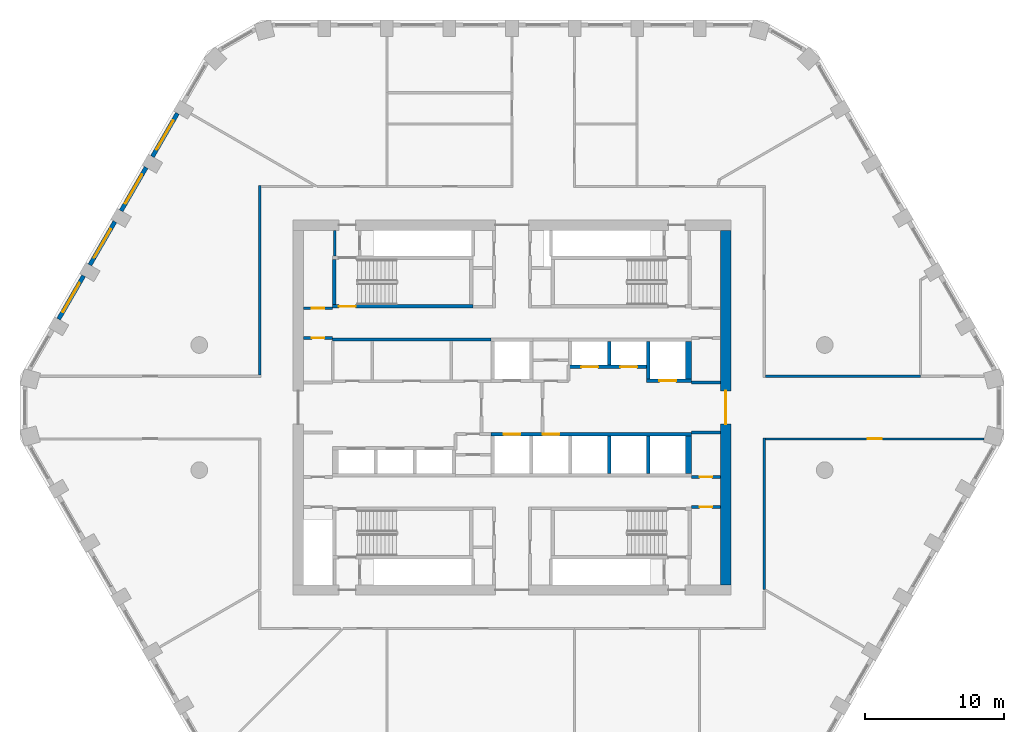
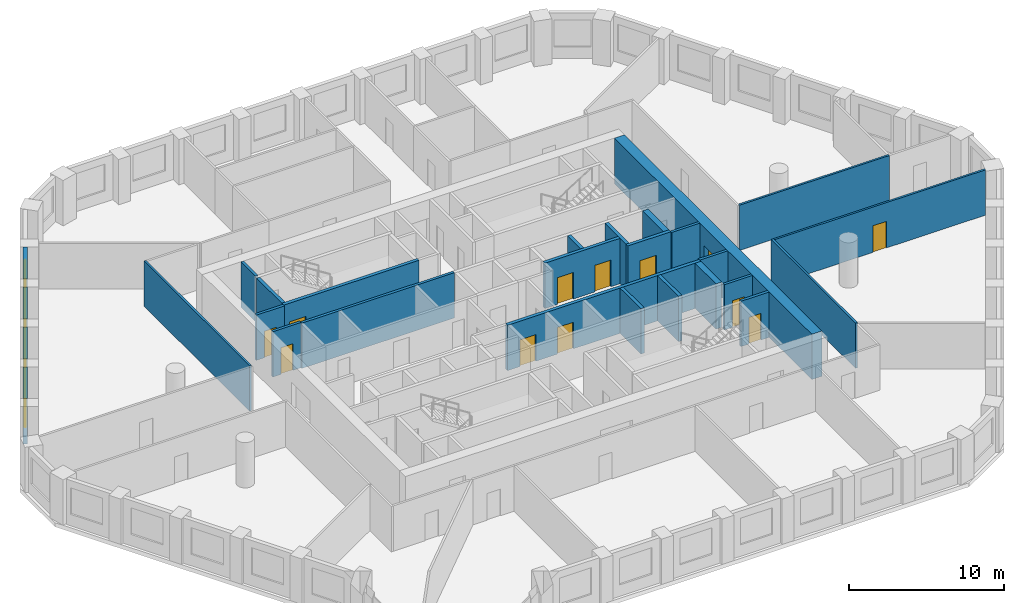
# One storey, part 5 of 9: 28 walls, 12 doors, 4 windows, 16 openings.
"""IFC4 building model written with IfcOpenShell, lengths in metres."""

from ifc_helpers import new_model, si_unit, direction, frame, frame_2d, origin, place, context, subcontext, project, spatial, polyline, rectangle, outline, extrude, material, layer, layer_set, type_object, element, fill, save


model = new_model("IFC4")

# Units and contexts
model_context = context("Model", 3, precision=1e-05, world=origin(), true_north=direction((0.0, 1.0)))
body_context = subcontext(model_context, "Body", "Model", "MODEL_VIEW")
ifc_project = project(units=[si_unit("LENGTHUNIT", "METRE"), si_unit("AREAUNIT", "SQUARE_METRE"), si_unit("VOLUMEUNIT", "CUBIC_METRE"), si_unit("PLANEANGLEUNIT", "RADIAN"), si_unit("MASSUNIT", "GRAM", prefix="KILO")], contexts=[model_context])

# Site, building, storey
site_placement = place(None, origin())
site = spatial("IfcSite", under=ifc_project, at=site_placement, CompositionType="ELEMENT")
building_placement = place(site_placement, origin())
building = spatial("IfcBuilding", under=site, at=building_placement, Name="Dhurran Vertical Campus", CompositionType="ELEMENT")
storey_placement = place(building_placement, frame((0.0, 0.0, 159.89990234375)))
storey = spatial("IfcBuildingStorey", under=building, at=storey_placement, Name="L39", CompositionType="ELEMENT", Elevation=159.89990234375)

# Wall, opening, window
ifc_material_1 = material(Name="Precast concrete C50/60", Category="concrete")
ifc_layer_1 = layer(ifc_material_1, 0.300048828125)
ifc_layer_set_1 = layer_set([ifc_layer_1], Name="Precast concrete C50/60")
wall_type_1 = type_object("IfcWallType", Name="Precast spandrel wall 300", PredefinedType="SOLIDWALL", material=ifc_layer_set_1)
wall_1_placement = place(storey_placement, frame((-24.0693359375, 21.17041015625, 0.0), z_axis=(0.0, 0.0, 1.0), x_axis=(-0.500027802648, -0.866009351323, 0.0)))
wall_1 = element("IfcWall", 1, at=wall_1_placement, inside=storey, type_object=wall_type_1, Name="EW1 L39.33", PredefinedType="SOLIDWALL", context=body_context, shape_type="SweptSolid", body=[
    extrude(rectangle(XDim=3.598876953125, YDim=0.300048828125, at=frame_2d((1.79931640625, 0.0))), origin(), (0.0, 0.0, 1.0), 3.5751953125),
])
opening_1_placement = place(wall_1_placement, frame((0.599609375, 0.0, 0.89990234375)))
opening_1 = element("IfcOpeningElement", 2, at=opening_1_placement, cuts=wall_1, Name="Opening WT1", PredefinedType="OPENING", context=body_context, shape_type="SweptSolid", body=[
    extrude(rectangle(XDim=2.39990234375, YDim=2.10009765625, at=frame_2d((1.199951171875, 1.050048828125))), frame((0.0, 0.159912109375, 0.0), z_axis=(0.0, -1.0, 0.0), x_axis=(1.0, 0.0, 0.0)), (0.0, 0.0, 1.0), 0.320068359375),
])
ifc_material_2 = material(Name="Aluminium frame with solar-control glass", Category="aluminium")
window_type = type_object("IfcWindowType", Name="Punched window 2400 x 2100", PartitioningType="SINGLE_PANEL", PredefinedType="WINDOW", material=ifc_material_2)
window_1_placement = place(opening_1_placement, origin())
window_1 = element("IfcWindow", 3, at=window_1_placement, inside=storey, type_object=window_type, Name="WT1 L39.33", OverallHeight=2.10009765625, OverallWidth=2.39990234375, PartitioningType="SINGLE_PANEL", PredefinedType="WINDOW", context=body_context, shape_type="SweptSolid", body=[
    extrude(rectangle(XDim=2.39990234375, YDim=2.10009765625, at=frame_2d((1.199951171875, 1.050048828125))), frame((0.0, 0.030029296875, 0.0), z_axis=(0.0, -1.0, 0.0), x_axis=(1.0, 0.0, 0.0)), (0.0, 0.0, 1.0), 0.06005859375),
])
fill(opening_1, window_1)

wall_2_placement = place(storey_placement, frame((-26.3193359375, 17.273193359375, 0.0), z_axis=(0.0, 0.0, 1.0), x_axis=(-0.500027802648, -0.866009351323, 0.0)))
wall_2 = element("IfcWall", 4, at=wall_2_placement, inside=storey, type_object=wall_type_1, Name="EW1 L39.34", PredefinedType="SOLIDWALL", context=body_context, shape_type="SweptSolid", body=[
    extrude(rectangle(XDim=3.598876953125, YDim=0.300048828125, at=frame_2d((1.79931640625, 0.0))), origin(), (0.0, 0.0, 1.0), 3.5751953125),
])
opening_2_placement = place(wall_2_placement, frame((0.599609375, 0.0, 0.89990234375)))
opening_2 = element("IfcOpeningElement", 5, at=opening_2_placement, cuts=wall_2, Name="Opening WT1", PredefinedType="OPENING", context=body_context, shape_type="SweptSolid", body=[
    extrude(rectangle(XDim=2.39990234375, YDim=2.10009765625, at=frame_2d((1.199951171875, 1.050048828125))), frame((0.0, 0.159912109375, 0.0), z_axis=(0.0, -1.0, 0.0), x_axis=(1.0, 0.0, 0.0)), (0.0, 0.0, 1.0), 0.320068359375),
])
window_2_placement = place(opening_2_placement, origin())
window_2 = element("IfcWindow", 6, at=window_2_placement, inside=storey, type_object=window_type, Name="WT1 L39.34", OverallHeight=2.10009765625, OverallWidth=2.39990234375, PartitioningType="SINGLE_PANEL", PredefinedType="WINDOW", context=body_context, shape_type="SweptSolid", body=[
    extrude(rectangle(XDim=2.39990234375, YDim=2.10009765625, at=frame_2d((1.199951171875, 1.050048828125))), frame((0.0, 0.030029296875, 0.0), z_axis=(0.0, -1.0, 0.0), x_axis=(1.0, 0.0, 0.0)), (0.0, 0.0, 1.0), 0.06005859375),
])
fill(opening_2, window_2)

wall_3_placement = place(storey_placement, frame((-28.5693359375, 13.376220703125, 0.0), z_axis=(0.0, 0.0, 1.0), x_axis=(-0.500027802648, -0.866009351323, 0.0)))
wall_3 = element("IfcWall", 7, at=wall_3_placement, inside=storey, type_object=wall_type_1, Name="EW1 L39.35", PredefinedType="SOLIDWALL", context=body_context, shape_type="SweptSolid", body=[
    extrude(rectangle(XDim=3.598876953125, YDim=0.300048828125, at=frame_2d((1.79931640625, 0.0))), origin(), (0.0, 0.0, 1.0), 3.5751953125),
])
opening_3_placement = place(wall_3_placement, frame((0.599609375, 0.0, 0.89990234375)))
opening_3 = element("IfcOpeningElement", 8, at=opening_3_placement, cuts=wall_3, Name="Opening WT1", PredefinedType="OPENING", context=body_context, shape_type="SweptSolid", body=[
    extrude(rectangle(XDim=2.39990234375, YDim=2.10009765625, at=frame_2d((1.199951171875, 1.050048828125))), frame((0.0, 0.159912109375, 0.0), z_axis=(0.0, -1.0, 0.0), x_axis=(1.0, 0.0, 0.0)), (0.0, 0.0, 1.0), 0.320068359375),
])
window_3_placement = place(opening_3_placement, origin())
window_3 = element("IfcWindow", 9, at=window_3_placement, inside=storey, type_object=window_type, Name="WT1 L39.35", OverallHeight=2.10009765625, OverallWidth=2.39990234375, PartitioningType="SINGLE_PANEL", PredefinedType="WINDOW", context=body_context, shape_type="SweptSolid", body=[
    extrude(rectangle(XDim=2.39990234375, YDim=2.10009765625, at=frame_2d((1.199951171875, 1.050048828125))), frame((0.0, 0.030029296875, 0.0), z_axis=(0.0, -1.0, 0.0), x_axis=(1.0, 0.0, 0.0)), (0.0, 0.0, 1.0), 0.06005859375),
])
fill(opening_3, window_3)

wall_4_placement = place(storey_placement, frame((-30.8193359375, 9.47900390625, 0.0), z_axis=(0.0, 0.0, 1.0), x_axis=(-0.500027802648, -0.866009351323, 0.0)))
wall_4 = element("IfcWall", 10, at=wall_4_placement, inside=storey, type_object=wall_type_1, Name="EW1 L39.36", PredefinedType="SOLIDWALL", context=body_context, shape_type="SweptSolid", body=[
    extrude(rectangle(XDim=3.598876953125, YDim=0.300048828125, at=frame_2d((1.79931640625, 0.0))), origin(), (0.0, 0.0, 1.0), 3.5751953125),
])
opening_4_placement = place(wall_4_placement, frame((0.599609375, 0.0, 0.89990234375)))
opening_4 = element("IfcOpeningElement", 11, at=opening_4_placement, cuts=wall_4, Name="Opening WT1", PredefinedType="OPENING", context=body_context, shape_type="SweptSolid", body=[
    extrude(rectangle(XDim=2.39990234375, YDim=2.10009765625, at=frame_2d((1.199951171875, 1.050048828125))), frame((0.0, 0.159912109375, 0.0), z_axis=(0.0, -1.0, 0.0), x_axis=(1.0, 0.0, 0.0)), (0.0, 0.0, 1.0), 0.320068359375),
])
window_4_placement = place(opening_4_placement, origin())
window_4 = element("IfcWindow", 12, at=window_4_placement, inside=storey, type_object=window_type, Name="WT1 L39.36", OverallHeight=2.10009765625, OverallWidth=2.39990234375, PartitioningType="SINGLE_PANEL", PredefinedType="WINDOW", context=body_context, shape_type="SweptSolid", body=[
    extrude(rectangle(XDim=2.39990234375, YDim=2.10009765625, at=frame_2d((1.199951171875, 1.050048828125))), frame((0.0, 0.030029296875, 0.0), z_axis=(0.0, -1.0, 0.0), x_axis=(1.0, 0.0, 0.0)), (0.0, 0.0, 1.0), 0.06005859375),
])
fill(opening_4, window_4)

# Wall, opening, door
ifc_material_3 = material(Name="Concrete C60/75", Category="concrete")
ifc_layer_2 = layer(ifc_material_3, 0.75)
ifc_layer_set_2 = layer_set([ifc_layer_2], Name="Concrete C60/75")
wall_type_2 = type_object("IfcWallType", Name="co-CORE-WALL-C1-750", PredefinedType="SHEAR", material=ifc_layer_set_2)
wall_5_placement = place(storey_placement, frame((15.375, -12.75, 0.0), z_axis=(0.0, 0.0, 1.0), x_axis=(0.0, 1.0, 0.0)))
wall_5 = element("IfcWall", 13, at=wall_5_placement, inside=storey, type_object=wall_type_2, Name="Core wall E L39", PredefinedType="SHEAR", context=body_context, shape_type="SweptSolid", body=[
    extrude(rectangle(XDim=25.5, YDim=0.75, at=frame_2d((12.75, 0.0))), origin(), (0.0, 0.0, 1.0), 3.5751953125),
])
opening_5_placement = place(wall_5_placement, frame((11.550048828125, 0.0, 0.0)))
opening_5 = element("IfcOpeningElement", 14, at=opening_5_placement, cuts=wall_5, Name="Opening CL2", PredefinedType="OPENING", context=body_context, shape_type="SweptSolid", body=[
    extrude(rectangle(XDim=2.39990234375, YDim=2.10009765625, at=frame_2d((1.199951171875, 1.050048828125))), frame((0.0, 0.385009765625, 0.0), z_axis=(0.0, -1.0, 0.0), x_axis=(1.0, 0.0, 0.0)), (0.0, 0.0, 1.0), 0.77001953125),
])
ifc_material_4 = material(Name="Fire-rated glazed door set")
door_type_1 = type_object("IfcDoorType", Name="co-D-LOBBY 2400x2100", OperationType="DOUBLE_DOOR_DOUBLE_SWING", PredefinedType="DOOR", material=ifc_material_4)
door_1_placement = place(opening_5_placement, origin())
door_1 = element("IfcDoor", 15, at=door_1_placement, inside=storey, type_object=door_type_1, Name="Lift lobby door E L39", OperationType="DOUBLE_DOOR_DOUBLE_SWING", OverallHeight=2.10009765625, OverallWidth=2.39990234375, PredefinedType="DOOR", context=body_context, shape_type="SweptSolid", body=[
    extrude(rectangle(XDim=2.39990234375, YDim=2.10009765625, at=frame_2d((1.199951171875, 1.050048828125))), frame((0.0, 0.02490234375, 0.0), z_axis=(0.0, -1.0, 0.0), x_axis=(1.0, 0.0, 0.0)), (0.0, 0.0, 1.0), 0.050048828125),
])
fill(opening_5, door_1)

# Wall
ifc_material_5 = material(Name="Fire-rated masonry blockwork", Category="masonry")
ifc_layer_3 = layer(ifc_material_5, 0.199951171875)
ifc_layer_set_3 = layer_set([ifc_layer_3], Name="Fire-rated masonry blockwork")
wall_type_3 = type_object("IfcWallType", Name="co-FIRE-PARTITION-200", PredefinedType="PARTITIONING", material=ifc_layer_set_3)
wall_6_placement = place(storey_placement, frame((-12.75, 10.89990234375, 0.0), z_axis=(0.0, 0.0, 1.0), x_axis=(0.0, 1.0, 0.0)))
element("IfcWall", 16, at=wall_6_placement, inside=storey, type_object=wall_type_3, Name="Core partition pass-ST1-o L39", PredefinedType="PARTITIONING", context=body_context, shape_type="SweptSolid", body=[
    extrude(rectangle(XDim=1.85009765625, YDim=0.199951171875, at=frame_2d((0.925048828125, 0.0))), origin(), (0.0, 0.0, 1.0), 3.5751953125),
])

# Wall, opening, door
wall_7_placement = place(storey_placement, frame((-15.0, 7.14990234375, 0.0), z_axis=(0.0, 0.0, 1.0), x_axis=(1.0, 0.0, 0.0)))
wall_7 = element("IfcWall", 17, at=wall_7_placement, inside=storey, type_object=wall_type_3, Name="Core partition en-NW-w L39", PredefinedType="PARTITIONING", context=body_context, shape_type="SweptSolid", body=[
    extrude(rectangle(XDim=2.10009765625, YDim=0.199951171875, at=frame_2d((1.050048828125, 0.0))), origin(), (0.0, 0.0, 1.0), 3.5751953125),
])
opening_6_placement = place(wall_7_placement, frame((0.60009765625, 0.0, 0.0)))
opening_6 = element("IfcOpeningElement", 18, at=opening_6_placement, cuts=wall_7, Name="Opening T11-C12", PredefinedType="OPENING", context=body_context, shape_type="SweptSolid", body=[
    extrude(rectangle(XDim=0.89990234375, YDim=2.10009765625, at=frame_2d((0.449951171875, 1.050048828125))), frame((0.0, 0.10986328125, 0.0), z_axis=(0.0, -1.0, 0.0), x_axis=(1.0, 0.0, 0.0)), (0.0, 0.0, 1.0), 0.219970703125),
])
ifc_material_6 = material(Name="Fire-rated timber door set", Category="wood")
door_type_2 = type_object("IfcDoorType", Name="co-D-ROOM 900x2100", OperationType="SINGLE_SWING_LEFT", PredefinedType="DOOR", material=ifc_material_6)
door_2_placement = place(opening_6_placement, origin())
door_2 = element("IfcDoor", 19, at=door_2_placement, inside=storey, type_object=door_type_2, Name="Communications room door L39", OperationType="SINGLE_SWING_LEFT", OverallHeight=2.10009765625, OverallWidth=0.89990234375, PredefinedType="DOOR", context=body_context, shape_type="SweptSolid", body=[
    extrude(rectangle(XDim=0.89990234375, YDim=2.10009765625, at=frame_2d((0.449951171875, 1.050048828125))), frame((0.0, 0.02490234375, 0.0), z_axis=(0.0, -1.0, 0.0), x_axis=(1.0, 0.0, 0.0)), (0.0, 0.0, 1.0), 0.050048828125),
])
fill(opening_6, door_2)

wall_8_placement = place(storey_placement, frame((-15.0, 5.0, 0.0), z_axis=(0.0, 0.0, 1.0), x_axis=(1.0, 0.0, 0.0)))
wall_8 = element("IfcWall", 20, at=wall_8_placement, inside=storey, type_object=wall_type_3, Name="Core partition es-NW-w L39", PredefinedType="PARTITIONING", context=body_context, shape_type="SweptSolid", body=[
    extrude(rectangle(XDim=2.10009765625, YDim=0.199951171875, at=frame_2d((1.050048828125, 0.0))), origin(), (0.0, 0.0, 1.0), 3.5751953125),
])
opening_7_placement = place(wall_8_placement, frame((0.60009765625, 0.0, 0.0)))
opening_7 = element("IfcOpeningElement", 21, at=opening_7_placement, cuts=wall_8, Name="Opening T11-C13", PredefinedType="OPENING", context=body_context, shape_type="SweptSolid", body=[
    extrude(rectangle(XDim=0.89990234375, YDim=2.10009765625, at=frame_2d((0.449951171875, 1.050048828125))), frame((0.0, 0.10986328125, 0.0), z_axis=(0.0, -1.0, 0.0), x_axis=(1.0, 0.0, 0.0)), (0.0, 0.0, 1.0), 0.219970703125),
])
door_3_placement = place(opening_7_placement, origin())
door_3 = element("IfcDoor", 22, at=door_3_placement, inside=storey, type_object=door_type_2, Name="Server room door L39", OperationType="SINGLE_SWING_LEFT", OverallHeight=2.10009765625, OverallWidth=0.89990234375, PredefinedType="DOOR", context=body_context, shape_type="SweptSolid", body=[
    extrude(rectangle(XDim=0.89990234375, YDim=2.10009765625, at=frame_2d((0.449951171875, 1.050048828125))), frame((0.0, 0.02490234375, 0.0), z_axis=(0.0, -1.0, 0.0), x_axis=(1.0, 0.0, 0.0)), (0.0, 0.0, 1.0), 0.050048828125),
])
fill(opening_7, door_3)

# Wall
wall_9_placement = place(storey_placement, frame((12.89990234375, 1.800048828125, 0.0), z_axis=(0.0, 0.0, 1.0), x_axis=(1.0, 0.0, 0.0)))
element("IfcWall", 23, at=wall_9_placement, inside=storey, type_object=wall_type_3, Name="Core partition es-NE-l L39", PredefinedType="PARTITIONING", context=body_context, shape_type="SweptSolid", body=[
    extrude(rectangle(XDim=2.10009765625, YDim=0.199951171875, at=frame_2d((1.050048828125, 0.0))), origin(), (0.0, 0.0, 1.0), 3.5751953125),
])

# Wall, opening, door
wall_10_placement = place(storey_placement, frame((12.89990234375, -7.14990234375, 0.0), z_axis=(0.0, 0.0, 1.0), x_axis=(1.0, 0.0, 0.0)))
wall_10 = element("IfcWall", 24, at=wall_10_placement, inside=storey, type_object=wall_type_3, Name="Core partition en-SE-w L39", PredefinedType="PARTITIONING", context=body_context, shape_type="SweptSolid", body=[
    extrude(rectangle(XDim=2.10009765625, YDim=0.199951171875, at=frame_2d((1.050048828125, 0.0))), origin(), (0.0, 0.0, 1.0), 3.5751953125),
])
opening_8_placement = place(wall_10_placement, frame((0.60009765625, 0.0, 0.0)))
opening_8 = element("IfcOpeningElement", 25, at=opening_8_placement, cuts=wall_10, Name="Opening T11-C18", PredefinedType="OPENING", context=body_context, shape_type="SweptSolid", body=[
    extrude(rectangle(XDim=0.89990234375, YDim=2.10009765625, at=frame_2d((0.449951171875, 1.050048828125))), frame((0.0, 0.10986328125, 0.0), z_axis=(0.0, -1.0, 0.0), x_axis=(1.0, 0.0, 0.0)), (0.0, 0.0, 1.0), 0.219970703125),
])
door_4_placement = place(opening_8_placement, origin())
door_4 = element("IfcDoor", 26, at=door_4_placement, inside=storey, type_object=door_type_2, Name="Print room door L39", OperationType="SINGLE_SWING_LEFT", OverallHeight=2.10009765625, OverallWidth=0.89990234375, PredefinedType="DOOR", context=body_context, shape_type="SweptSolid", body=[
    extrude(rectangle(XDim=0.89990234375, YDim=2.10009765625, at=frame_2d((0.449951171875, 1.050048828125))), frame((0.0, 0.02490234375, 0.0), z_axis=(0.0, -1.0, 0.0), x_axis=(1.0, 0.0, 0.0)), (0.0, 0.0, 1.0), 0.050048828125),
])
fill(opening_8, door_4)

wall_11_placement = place(storey_placement, frame((12.89990234375, -5.0, 0.0), z_axis=(0.0, 0.0, 1.0), x_axis=(1.0, 0.0, 0.0)))
wall_11 = element("IfcWall", 27, at=wall_11_placement, inside=storey, type_object=wall_type_3, Name="Core partition es-SE-w L39", PredefinedType="PARTITIONING", context=body_context, shape_type="SweptSolid", body=[
    extrude(rectangle(XDim=2.10009765625, YDim=0.199951171875, at=frame_2d((1.050048828125, 0.0))), origin(), (0.0, 0.0, 1.0), 3.5751953125),
])
opening_9_placement = place(wall_11_placement, frame((0.60009765625, 0.0, 0.0)))
opening_9 = element("IfcOpeningElement", 28, at=opening_9_placement, cuts=wall_11, Name="Opening T11-C19", PredefinedType="OPENING", context=body_context, shape_type="SweptSolid", body=[
    extrude(rectangle(XDim=0.89990234375, YDim=2.10009765625, at=frame_2d((0.449951171875, 1.050048828125))), frame((0.0, 0.10986328125, 0.0), z_axis=(0.0, -1.0, 0.0), x_axis=(1.0, 0.0, 0.0)), (0.0, 0.0, 1.0), 0.219970703125),
])
door_5_placement = place(opening_9_placement, origin())
door_5 = element("IfcDoor", 29, at=door_5_placement, inside=storey, type_object=door_type_2, Name="Pantry door L39", OperationType="SINGLE_SWING_LEFT", OverallHeight=2.10009765625, OverallWidth=0.89990234375, PredefinedType="DOOR", context=body_context, shape_type="SweptSolid", body=[
    extrude(rectangle(XDim=0.89990234375, YDim=2.10009765625, at=frame_2d((0.449951171875, 1.050048828125))), frame((0.0, 0.02490234375, 0.0), z_axis=(0.0, -1.0, 0.0), x_axis=(1.0, 0.0, 0.0)), (0.0, 0.0, 1.0), 0.050048828125),
])
fill(opening_9, door_5)

# Walls
wall_12_placement = place(storey_placement, frame((12.89990234375, -1.800048828125, 0.0), z_axis=(0.0, 0.0, 1.0), x_axis=(1.0, 0.0, 0.0)))
element("IfcWall", 30, at=wall_12_placement, inside=storey, type_object=wall_type_3, Name="Core partition es-SE-l L39", PredefinedType="PARTITIONING", context=body_context, shape_type="SweptSolid", body=[
    extrude(rectangle(XDim=2.10009765625, YDim=0.199951171875, at=frame_2d((1.050048828125, 0.0))), origin(), (0.0, 0.0, 1.0), 3.5751953125),
])
wall_13_placement = place(storey_placement, frame((-12.89990234375, 4.89990234375, 0.0), z_axis=(0.0, 0.0, 1.0), x_axis=(1.0, 0.0, 0.0)))
element("IfcWall", 31, at=wall_13_placement, inside=storey, type_object=wall_type_3, Name="Core partition fr-N0-b L39", PredefinedType="PARTITIONING", context=body_context, shape_type="SweptSolid", body=[
    extrude(rectangle(XDim=11.375, YDim=0.199951171875, at=frame_2d((5.6875, 0.0))), origin(), (0.0, 0.0, 1.0), 3.5751953125),
])

# Wall, openings, doors
ifc_material_7 = material(Name="Concrete C50/60", Category="concrete")
ifc_layer_4 = layer(ifc_material_7, 0.25)
ifc_layer_set_4 = layer_set([ifc_layer_4], Name="Concrete C50/60")
wall_type_4 = type_object("IfcWallType", Name="co-SHAFT-FRONT-250", PredefinedType="SHEAR", material=ifc_layer_set_4)
wall_14_placement = place(storey_placement, frame((4.074951171875, 2.925048828125, 0.0), z_axis=(0.0, 0.0, 1.0), x_axis=(1.0, 0.0, 0.0)))
wall_14 = element("IfcWall", 32, at=wall_14_placement, inside=storey, type_object=wall_type_4, Name="Lift landing wall N L39", PredefinedType="SHEAR", context=body_context, shape_type="SweptSolid", body=[
    extrude(rectangle(XDim=5.85009765625, YDim=0.25, at=frame_2d((2.925048828125, 0.0))), origin(), (0.0, 0.0, 1.0), 3.5751953125),
])
opening_10_placement = place(wall_14_placement, frame((0.925048828125, 0.0, 0.0)))
opening_10 = element("IfcOpeningElement", 33, at=opening_10_placement, cuts=wall_14, Name="Opening LD", PredefinedType="OPENING", context=body_context, shape_type="SweptSolid", body=[
    extrude(rectangle(XDim=1.199951171875, YDim=2.10009765625, at=frame_2d((0.60009765625, 1.050048828125))), frame((0.0, 0.135009765625, 0.0), z_axis=(0.0, -1.0, 0.0), x_axis=(1.0, 0.0, 0.0)), (0.0, 0.0, 1.0), 0.27001953125),
])
opening_11_placement = place(wall_14_placement, frame((3.72509765625, 0.0, 0.0)))
opening_11 = element("IfcOpeningElement", 34, at=opening_11_placement, cuts=wall_14, Name="Opening LD", PredefinedType="OPENING", context=body_context, shape_type="SweptSolid", body=[
    extrude(rectangle(XDim=1.199951171875, YDim=2.10009765625, at=frame_2d((0.60009765625, 1.050048828125))), frame((0.0, 0.135009765625, 0.0), z_axis=(0.0, -1.0, 0.0), x_axis=(1.0, 0.0, 0.0)), (0.0, 0.0, 1.0), 0.27001953125),
])
ifc_material_8 = material(Name="Stainless steel landing door", Category="steel")
door_type_3 = type_object("IfcDoorType", Name="co-D-LANDING 1200x2100", OperationType="DOUBLE_DOOR_SLIDING", PredefinedType="DOOR", material=ifc_material_8)
door_6_placement = place(opening_10_placement, origin())
door_6 = element("IfcDoor", 35, at=door_6_placement, inside=storey, type_object=door_type_3, Name="Landing door MR1 L39", OperationType="DOUBLE_DOOR_SLIDING", OverallHeight=2.10009765625, OverallWidth=1.199951171875, PredefinedType="DOOR", context=body_context, shape_type="SweptSolid", body=[
    extrude(rectangle(XDim=1.199951171875, YDim=2.10009765625, at=frame_2d((0.60009765625, 1.050048828125))), frame((0.0, 0.02490234375, 0.0), z_axis=(0.0, -1.0, 0.0), x_axis=(1.0, 0.0, 0.0)), (0.0, 0.0, 1.0), 0.050048828125),
])
fill(opening_10, door_6)
door_7_placement = place(opening_11_placement, origin())
door_7 = element("IfcDoor", 36, at=door_7_placement, inside=storey, type_object=door_type_3, Name="Landing door MR2 L39", OperationType="DOUBLE_DOOR_SLIDING", OverallHeight=2.10009765625, OverallWidth=1.199951171875, PredefinedType="DOOR", context=body_context, shape_type="SweptSolid", body=[
    extrude(rectangle(XDim=1.199951171875, YDim=2.10009765625, at=frame_2d((0.60009765625, 1.050048828125))), frame((0.0, 0.02490234375, 0.0), z_axis=(0.0, -1.0, 0.0), x_axis=(1.0, 0.0, 0.0)), (0.0, 0.0, 1.0), 0.050048828125),
])
fill(opening_11, door_7)

# Wall, opening, door
wall_15_placement = place(storey_placement, frame((9.675048828125, 1.925048828125, 0.0), z_axis=(0.0, 0.0, 1.0), x_axis=(1.0, 0.0, 0.0)))
wall_15 = element("IfcWall", 37, at=wall_15_placement, inside=storey, type_object=wall_type_4, Name="Lift landing wall N L39", PredefinedType="SHEAR", context=body_context, shape_type="SweptSolid", body=[
    extrude(rectangle(XDim=3.224853515625, YDim=0.25, at=frame_2d((1.6123046875, 0.0))), origin(), (0.0, 0.0, 1.0), 3.5751953125),
])
opening_12_placement = place(wall_15_placement, frame((0.925048828125, 0.0, 0.0)))
opening_12 = element("IfcOpeningElement", 38, at=opening_12_placement, cuts=wall_15, Name="Opening LD", PredefinedType="OPENING", context=body_context, shape_type="SweptSolid", body=[
    extrude(rectangle(XDim=1.199951171875, YDim=2.10009765625, at=frame_2d((0.60009765625, 1.050048828125))), frame((0.0, 0.135009765625, 0.0), z_axis=(0.0, -1.0, 0.0), x_axis=(1.0, 0.0, 0.0)), (0.0, 0.0, 1.0), 0.27001953125),
])
door_8_placement = place(opening_12_placement, origin())
door_8 = element("IfcDoor", 39, at=door_8_placement, inside=storey, type_object=door_type_3, Name="Landing door SV2 L39", OperationType="DOUBLE_DOOR_SLIDING", OverallHeight=2.10009765625, OverallWidth=1.199951171875, PredefinedType="DOOR", context=body_context, shape_type="SweptSolid", body=[
    extrude(rectangle(XDim=1.199951171875, YDim=2.10009765625, at=frame_2d((0.60009765625, 1.050048828125))), frame((0.0, 0.02490234375, 0.0), z_axis=(0.0, -1.0, 0.0), x_axis=(1.0, 0.0, 0.0)), (0.0, 0.0, 1.0), 0.050048828125),
])
fill(opening_12, door_8)

# Wall, openings, doors
wall_16_placement = place(storey_placement, frame((-1.52490234375, -1.925048828125, 0.0), z_axis=(0.0, 0.0, 1.0), x_axis=(1.0, 0.0, 0.0)))
wall_16 = element("IfcWall", 40, at=wall_16_placement, inside=storey, type_object=wall_type_4, Name="Lift landing wall S L39", PredefinedType="SHEAR", context=body_context, shape_type="SweptSolid", body=[
    extrude(rectangle(XDim=14.4248046875, YDim=0.25, at=frame_2d((7.21240234375, 0.0))), origin(), (0.0, 0.0, 1.0), 3.5751953125),
])
opening_13_placement = place(wall_16_placement, frame((0.925048828125, 0.0, 0.0)))
opening_13 = element("IfcOpeningElement", 41, at=opening_13_placement, cuts=wall_16, Name="Opening LD", PredefinedType="OPENING", context=body_context, shape_type="SweptSolid", body=[
    extrude(rectangle(XDim=1.199951171875, YDim=2.10009765625, at=frame_2d((0.60009765625, 1.050048828125))), frame((0.0, 0.135009765625, 0.0), z_axis=(0.0, -1.0, 0.0), x_axis=(1.0, 0.0, 0.0)), (0.0, 0.0, 1.0), 0.27001953125),
])
opening_14_placement = place(wall_16_placement, frame((3.72509765625, 0.0, 0.0)))
opening_14 = element("IfcOpeningElement", 42, at=opening_14_placement, cuts=wall_16, Name="Opening LD", PredefinedType="OPENING", context=body_context, shape_type="SweptSolid", body=[
    extrude(rectangle(XDim=1.199951171875, YDim=2.10009765625, at=frame_2d((0.60009765625, 1.050048828125))), frame((0.0, 0.135009765625, 0.0), z_axis=(0.0, -1.0, 0.0), x_axis=(1.0, 0.0, 0.0)), (0.0, 0.0, 1.0), 0.27001953125),
])
door_9_placement = place(opening_13_placement, origin())
door_9 = element("IfcDoor", 43, at=door_9_placement, inside=storey, type_object=door_type_3, Name="Landing door FF2 L39", OperationType="DOUBLE_DOOR_SLIDING", OverallHeight=2.10009765625, OverallWidth=1.199951171875, PredefinedType="DOOR", context=body_context, shape_type="SweptSolid", body=[
    extrude(rectangle(XDim=1.199951171875, YDim=2.10009765625, at=frame_2d((0.60009765625, 1.050048828125))), frame((0.0, 0.02490234375, 0.0), z_axis=(0.0, -1.0, 0.0), x_axis=(1.0, 0.0, 0.0)), (0.0, 0.0, 1.0), 0.050048828125),
])
fill(opening_13, door_9)
door_10_placement = place(opening_14_placement, origin())
door_10 = element("IfcDoor", 44, at=door_10_placement, inside=storey, type_object=door_type_3, Name="Landing door SV1 L39", OperationType="DOUBLE_DOOR_SLIDING", OverallHeight=2.10009765625, OverallWidth=1.199951171875, PredefinedType="DOOR", context=body_context, shape_type="SweptSolid", body=[
    extrude(rectangle(XDim=1.199951171875, YDim=2.10009765625, at=frame_2d((0.60009765625, 1.050048828125))), frame((0.0, 0.02490234375, 0.0), z_axis=(0.0, -1.0, 0.0), x_axis=(1.0, 0.0, 0.0)), (0.0, 0.0, 1.0), 0.050048828125),
])
fill(opening_14, door_10)

# Walls
ifc_material_9 = material(Name="Concrete C50/60", Category="concrete")
ifc_layer_5 = layer(ifc_material_9, 0.25)
ifc_layer_set_5 = layer_set([ifc_layer_5], Name="Concrete C50/60")
wall_type_5 = type_object("IfcWallType", Name="co-SHAFT-MASS-250", PredefinedType="SHEAR", material=ifc_layer_set_5)
wall_17_placement = place(storey_placement, origin())
element("IfcWall", 45, at=wall_17_placement, inside=storey, type_object=wall_type_5, Name="Lift shaft wall N L39 5", PredefinedType="SHEAR", context=body_context, shape_type="SweptSolid", body=[
    extrude(outline(polyline([(9.675048828125, 2.050048828125), (9.925048828125, 2.050048828125), (9.925048828125, 4.75), (9.675048828125, 4.75), (9.675048828125, 2.050048828125)])), origin(), (0.0, 0.0, 1.0), 3.5751953125),
])
wall_18_placement = place(storey_placement, origin())
element("IfcWall", 46, at=wall_18_placement, inside=storey, type_object=wall_type_5, Name="Lift shaft wall N L39 6", PredefinedType="SHEAR", context=body_context, shape_type="SweptSolid", body=[
    extrude(outline(polyline([(12.47509765625, 2.050048828125), (12.89990234375, 2.050048828125), (12.89990234375, 4.75), (12.47509765625, 4.75), (12.47509765625, 2.050048828125)])), origin(), (0.0, 0.0, 1.0), 3.5751953125),
])
wall_19_placement = place(storey_placement, origin())
element("IfcWall", 47, at=wall_19_placement, inside=storey, type_object=wall_type_5, Name="Lift shaft wall N L39 8", PredefinedType="SHEAR", context=body_context, shape_type="SweptSolid", body=[
    extrude(outline(polyline([(6.875, 3.050048828125), (7.125, 3.050048828125), (7.125, 4.75), (6.875, 4.75), (6.875, 3.050048828125)])), origin(), (0.0, 0.0, 1.0), 3.5751953125),
])
wall_20_placement = place(storey_placement, origin())
element("IfcWall", 48, at=wall_20_placement, inside=storey, type_object=wall_type_5, Name="Lift shaft wall S L39 10", PredefinedType="SHEAR", context=body_context, shape_type="SweptSolid", body=[
    extrude(outline(polyline([(6.875, -4.75), (7.125, -4.75), (7.125, -2.050048828125), (6.875, -2.050048828125), (6.875, -4.75)])), origin(), (0.0, 0.0, 1.0), 3.5751953125),
])
wall_21_placement = place(storey_placement, origin())
element("IfcWall", 49, at=wall_21_placement, inside=storey, type_object=wall_type_5, Name="Lift shaft wall S L39 11", PredefinedType="SHEAR", context=body_context, shape_type="SweptSolid", body=[
    extrude(outline(polyline([(9.675048828125, -4.75), (9.925048828125, -4.75), (9.925048828125, -2.050048828125), (9.675048828125, -2.050048828125), (9.675048828125, -4.75)])), origin(), (0.0, 0.0, 1.0), 3.5751953125),
])
wall_22_placement = place(storey_placement, origin())
element("IfcWall", 50, at=wall_22_placement, inside=storey, type_object=wall_type_5, Name="Lift shaft wall S L39 12", PredefinedType="SHEAR", context=body_context, shape_type="SweptSolid", body=[
    extrude(outline(polyline([(12.47509765625, -4.75), (12.89990234375, -4.75), (12.89990234375, -2.050048828125), (12.47509765625, -2.050048828125), (12.47509765625, -4.75)])), origin(), (0.0, 0.0, 1.0), 3.5751953125),
])

# Wall, opening, door
ifc_material_10 = material(Name="Concrete C40/50", Category="concrete")
ifc_layer_6 = layer(ifc_material_10, 0.25)
ifc_layer_set_6 = layer_set([ifc_layer_6], Name="Concrete C40/50")
wall_type_6 = type_object("IfcWallType", Name="co-STAIR-WALL-250", PredefinedType="SHEAR", material=ifc_layer_set_6)
wall_23_placement = place(storey_placement, frame((-12.89990234375, 7.27490234375, 0.0), z_axis=(0.0, 0.0, 1.0), x_axis=(1.0, 0.0, 0.0)))
wall_23 = element("IfcWall", 51, at=wall_23_placement, inside=storey, type_object=wall_type_6, Name="Stair ST1 enclosure wall L39", PredefinedType="SHEAR", context=body_context, shape_type="SweptSolid", body=[
    extrude(rectangle(XDim=10.099853515625, YDim=0.25, at=frame_2d((5.0498046875, 0.0))), origin(), (0.0, 0.0, 1.0), 3.5751953125),
])
opening_15_placement = place(wall_23_placement, frame((0.449951171875, 0.0, 0.0)))
opening_15 = element("IfcOpeningElement", 52, at=opening_15_placement, cuts=wall_23, Name="Opening SD1", PredefinedType="OPENING", context=body_context, shape_type="SweptSolid", body=[
    extrude(rectangle(XDim=1.199951171875, YDim=2.10009765625, at=frame_2d((0.60009765625, 1.050048828125))), frame((0.0, 0.135009765625, 0.0), z_axis=(0.0, -1.0, 0.0), x_axis=(1.0, 0.0, 0.0)), (0.0, 0.0, 1.0), 0.27001953125),
])
ifc_material_11 = material(Name="Fire-rated steel door set", Category="steel")
door_type_4 = type_object("IfcDoorType", Name="co-D-STAIR 1200x2100", OperationType="SINGLE_SWING_LEFT", PredefinedType="DOOR", material=ifc_material_11)
door_11_placement = place(opening_15_placement, origin())
door_11 = element("IfcDoor", 53, at=door_11_placement, inside=storey, type_object=door_type_4, Name="Stair ST1 door L39", OperationType="SINGLE_SWING_LEFT", OverallHeight=2.10009765625, OverallWidth=1.199951171875, PredefinedType="DOOR", context=body_context, shape_type="SweptSolid", body=[
    extrude(rectangle(XDim=1.199951171875, YDim=2.10009765625, at=frame_2d((0.60009765625, 1.050048828125))), frame((0.0, 0.02490234375, 0.0), z_axis=(0.0, -1.0, 0.0), x_axis=(1.0, 0.0, 0.0)), (0.0, 0.0, 1.0), 0.050048828125),
])
fill(opening_15, door_11)

# Walls
wall_24_placement = place(storey_placement, frame((-12.77490234375, 7.39990234375, 0.0), z_axis=(0.0, 0.0, 1.0), x_axis=(0.0, 1.0, 0.0)))
element("IfcWall", 54, at=wall_24_placement, inside=storey, type_object=wall_type_6, Name="Stair ST1 enclosure wall L39", PredefinedType="SHEAR", context=body_context, shape_type="SweptSolid", body=[
    extrude(rectangle(XDim=3.25, YDim=0.25, at=frame_2d((1.625, 0.0))), origin(), (0.0, 0.0, 1.0), 3.5751953125),
])
ifc_material_12 = material(Name="Gypsum board corridor wall on steel studs", Category="steel")
ifc_layer_7 = layer(ifc_material_12, 0.14990234375)
ifc_layer_set_7 = layer_set([ifc_layer_7], Name="Gypsum board corridor wall on steel studs")
wall_type_7 = type_object("IfcWallType", Name="fl-CW-150 corridor wall", PredefinedType="PARTITIONING", material=ifc_layer_set_7)
wall_25_placement = place(storey_placement, frame((-18.14990234375, 15.97509765625, 0.0), z_axis=(0.0, 0.0, 1.0), x_axis=(0.0, -1.0, 0.0)))
element("IfcWall", 55, at=wall_25_placement, inside=storey, type_object=wall_type_7, Name="Partition 39-09", PredefinedType="PARTITIONING", context=body_context, shape_type="SweptSolid", body=[
    extrude(rectangle(XDim=13.650146484375, YDim=0.14990234375, at=frame_2d((6.8251953125, 0.0))), origin(), (0.0, 0.0, 1.0), 3.5751953125),
])
wall_26_placement = place(storey_placement, frame((18.14990234375, -13.076904296875, 0.0), z_axis=(0.0, 0.0, 1.0), x_axis=(0.0, 1.0, 0.0)))
element("IfcWall", 56, at=wall_26_placement, inside=storey, type_object=wall_type_7, Name="Partition 39-39", PredefinedType="PARTITIONING", context=body_context, shape_type="SweptSolid", body=[
    extrude(rectangle(XDim=10.90185546875, YDim=0.14990234375, at=frame_2d((5.450927734375, 0.0))), origin(), (0.0, 0.0, 1.0), 3.5751953125),
])

# Wall, opening, door
wall_27_placement = place(storey_placement, frame((33.9677734375, -2.25, 0.0), z_axis=(0.0, 0.0, 1.0), x_axis=(-1.0, 0.0, 0.0)))
wall_27 = element("IfcWall", 57, at=wall_27_placement, inside=storey, type_object=wall_type_7, Name="Partition 39-41", PredefinedType="PARTITIONING", context=body_context, shape_type="SweptSolid", body=[
    extrude(rectangle(XDim=15.74267578125, YDim=0.14990234375, at=frame_2d((7.871337890625, 0.0))), origin(), (0.0, 0.0, 1.0), 3.5751953125),
])
opening_16_placement = place(wall_27_placement, frame((7.371337890625, 0.0, 0.0)))
opening_16 = element("IfcOpeningElement", 58, at=opening_16_placement, cuts=wall_27, Name="Opening T11.16", PredefinedType="OPENING", context=body_context, shape_type="SweptSolid", body=[
    extrude(rectangle(XDim=1.0, YDim=2.10009765625, at=frame_2d((0.5, 1.050048828125))), frame((0.0, 0.0849609375, 0.0), z_axis=(0.0, -1.0, 0.0), x_axis=(1.0, 0.0, 0.0)), (0.0, 0.0, 1.0), 0.169921875),
])
ifc_material_13 = material(Name="Solid-core timber door set, fire-rated", Category="wood")
door_type_5 = type_object("IfcDoorType", Name="fl-D-1000x2100", OperationType="SINGLE_SWING_LEFT", PredefinedType="DOOR", material=ifc_material_13)
door_12_placement = place(opening_16_placement, origin())
door_12 = element("IfcDoor", 59, at=door_12_placement, inside=storey, type_object=door_type_5, Name="Door 39.16", OperationType="SINGLE_SWING_RIGHT", OverallHeight=2.10009765625, OverallWidth=1.0, PredefinedType="DOOR", context=body_context, shape_type="SweptSolid", body=[
    extrude(rectangle(XDim=1.0, YDim=2.10009765625, at=frame_2d((0.5, 1.050048828125))), frame((0.0, 0.02490234375, 0.0), z_axis=(0.0, -1.0, 0.0), x_axis=(1.0, 0.0, 0.0)), (0.0, 0.0, 1.0), 0.050048828125),
])
fill(opening_16, door_12)

# Wall
wall_28_placement = place(storey_placement, frame((18.22509765625, 2.25, 0.0), z_axis=(0.0, 0.0, 1.0), x_axis=(1.0, 0.0, 0.0)))
element("IfcWall", 60, at=wall_28_placement, inside=storey, type_object=wall_type_7, Name="Partition 39-43", PredefinedType="PARTITIONING", context=body_context, shape_type="SweptSolid", body=[
    extrude(rectangle(XDim=11.1748046875, YDim=0.14990234375, at=frame_2d((5.58740234375, 0.0))), origin(), (0.0, 0.0, 1.0), 3.5751953125),
])

save(model, "model.ifc")
